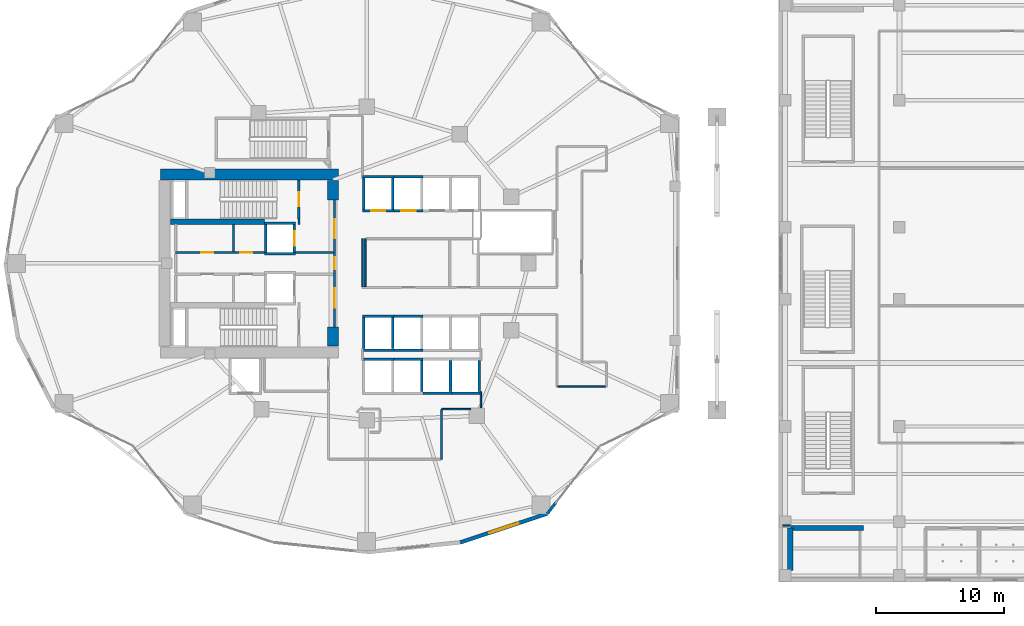
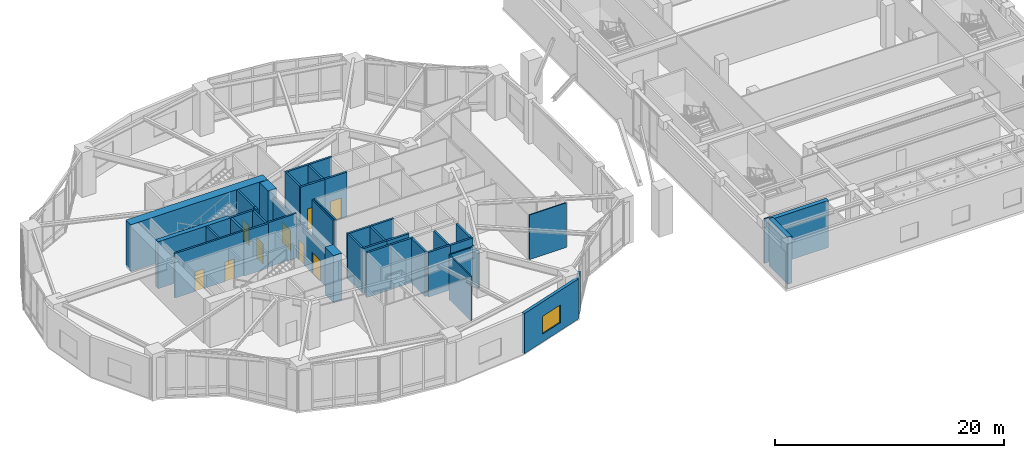
# One storey, part 15 of 24: 44 walls, 9 doors, 1 window, 10 openings.
"""IFC4 building model written with IfcOpenShell, lengths in metres."""

from ifc_helpers import new_model, si_unit, direction, frame, frame_2d, origin, place, context, subcontext, project, spatial, rectangle, extrude, material, layer, layer_set, type_object, element, fill, save


model = new_model("IFC4")

# Units and contexts
model_context = context("Model", 3, precision=1e-05, world=origin(), true_north=direction((0.0, 1.0)))
body_context = subcontext(model_context, "Body", "Model", "MODEL_VIEW")
ifc_project = project(units=[si_unit("LENGTHUNIT", "METRE"), si_unit("AREAUNIT", "SQUARE_METRE"), si_unit("VOLUMEUNIT", "CUBIC_METRE"), si_unit("PLANEANGLEUNIT", "RADIAN"), si_unit("MASSUNIT", "GRAM", prefix="KILO")], contexts=[model_context])

# Site, building, storey
site_placement = place(None, origin())
site = spatial("IfcSite", under=ifc_project, at=site_placement, CompositionType="ELEMENT")
building_placement = place(site_placement, origin())
building = spatial("IfcBuilding", under=site, at=building_placement, Name="Kolvaren Gate Tower and Convention Centre", CompositionType="ELEMENT")
storey_placement = place(building_placement, frame((0.0, 0.0, 10.0)))
storey = spatial("IfcBuildingStorey", under=building, at=storey_placement, Name="L02", CompositionType="ELEMENT", Elevation=10.0)

# Wall
ifc_material_1 = material(Name="Autoclaved Aerated Masonry Blockwork Class 4 (4.0 MPa)", Category="masonry")
ifc_layer_1 = layer(ifc_material_1, 0.179931640625)
ifc_layer_set_1 = layer_set([ifc_layer_1], Name="Autoclaved Aerated Masonry Blockwork Class 4 (4.0 MPa)")
wall_type_1 = type_object("IfcWallType", Name="ARCH-WL-COMP-180", PredefinedType="SOLIDWALL", material=ifc_layer_set_1)
wall_1_placement = place(storey_placement, frame((24.85009765625, 30.0400390625, 0.0), z_axis=(0.0, 0.0, 1.0), x_axis=(0.0, 1.0, 0.0)))
element("IfcWall", 1, at=wall_1_placement, inside=storey, type_object=wall_type_1, Name="Interior Partition WL-L02-INT-002", PredefinedType="SOLIDWALL", context=body_context, shape_type="SweptSolid", body=[
    extrude(rectangle(XDim=0.419921875, YDim=0.179931640625, at=frame_2d((0.2099609375, 0.0))), origin(), (0.0, 0.0, 1.0), 4.760009765625),
])

# Wall, openings, doors
wall_2_placement = place(storey_placement, frame((27.6201171875, 22.050048828125, 0.0), z_axis=(0.0, 0.0, 1.0), x_axis=(0.0, 1.0, 0.0)))
wall_2 = element("IfcWall", 2, at=wall_2_placement, inside=storey, type_object=wall_type_1, Name="Interior Partition WL-L02-INT-003", PredefinedType="SOLIDWALL", context=body_context, shape_type="SweptSolid", body=[
    extrude(rectangle(XDim=9.89990234375, YDim=0.179931640625, at=frame_2d((4.949951171875, 0.0))), origin(), (0.0, 0.0, 1.0), 3.85205078125),
])
opening_1_placement = place(wall_2_placement, frame((4.47509765625, 0.0, 0.0)))
opening_1 = element("IfcOpeningElement", 3, at=opening_1_placement, cuts=wall_2, Name="Opening DR-01", PredefinedType="OPENING", context=body_context, shape_type="SweptSolid", body=[
    extrude(rectangle(XDim=0.949951171875, YDim=2.10009765625, at=frame_2d((0.47509765625, 1.050048828125))), frame((0.0, 0.099853515625, 0.0), z_axis=(0.0, -1.0, 0.0), x_axis=(1.0, 0.0, 0.0)), (0.0, 0.0, 1.0), 0.199951171875),
])
opening_2_placement = place(wall_2_placement, frame((6.889892578125, 0.0, 0.0)))
opening_2 = element("IfcOpeningElement", 4, at=opening_2_placement, cuts=wall_2, Name="Opening DL-01", PredefinedType="OPENING", context=body_context, shape_type="SweptSolid", body=[
    extrude(rectangle(XDim=1.5, YDim=2.199951171875, at=frame_2d((0.75, 1.10009765625))), frame((0.0, 0.099853515625, 0.0), z_axis=(0.0, -1.0, 0.0), x_axis=(1.0, 0.0, 0.0)), (0.0, 0.0, 1.0), 0.199951171875),
])
opening_3_placement = place(wall_2_placement, frame((1.510009765625, 0.0, 0.0)))
opening_3 = element("IfcOpeningElement", 5, at=opening_3_placement, cuts=wall_2, Name="Opening DL-01", PredefinedType="OPENING", context=body_context, shape_type="SweptSolid", body=[
    extrude(rectangle(XDim=1.5, YDim=2.199951171875, at=frame_2d((0.75, 1.10009765625))), frame((0.0, 0.099853515625, 0.0), z_axis=(0.0, -1.0, 0.0), x_axis=(1.0, 0.0, 0.0)), (0.0, 0.0, 1.0), 0.199951171875),
])
ifc_material_2 = material(Name="Painted Architectural Steelwork ASTM A500 Grade C 345 MPa", Category="steel")
door_type_1 = type_object("IfcDoorType", Name="ARCH-DR-LOBBY-1500", OperationType="DOUBLE_DOOR_SINGLE_SWING", PredefinedType="DOOR", material=ifc_material_2)
door_1_placement = place(opening_2_placement, origin())
door_1 = element("IfcDoor", 6, at=door_1_placement, inside=storey, type_object=door_type_1, Name="North Firefighting Stair and Lift Lobby Door", OperationType="DOUBLE_DOOR_SINGLE_SWING", OverallHeight=2.199951171875, OverallWidth=1.5, PredefinedType="DOOR", context=body_context, shape_type="SweptSolid", body=[
    extrude(rectangle(XDim=1.5, YDim=2.199951171875, at=frame_2d((0.75, 1.10009765625))), frame((0.0, 0.02490234375, 0.0), z_axis=(0.0, -1.0, 0.0), x_axis=(1.0, 0.0, 0.0)), (0.0, 0.0, 1.0), 0.050048828125),
])
fill(opening_2, door_1)
door_2_placement = place(opening_3_placement, origin())
door_2 = element("IfcDoor", 7, at=door_2_placement, inside=storey, type_object=door_type_1, Name="South Firefighting Stair and Lift Lobby Door", OperationType="DOUBLE_DOOR_SINGLE_SWING", OverallHeight=2.199951171875, OverallWidth=1.5, PredefinedType="DOOR", context=body_context, shape_type="SweptSolid", body=[
    extrude(rectangle(XDim=1.5, YDim=2.199951171875, at=frame_2d((0.75, 1.10009765625))), frame((0.0, 0.02490234375, 0.0), z_axis=(0.0, -1.0, 0.0), x_axis=(1.0, 0.0, 0.0)), (0.0, 0.0, 1.0), 0.050048828125),
])
fill(opening_3, door_2)
door_type_2 = type_object("IfcDoorType", Name="ARCH-DR-RISER-950", OperationType="SINGLE_SWING_RIGHT", PredefinedType="DOOR", material=ifc_material_2)
door_3_placement = place(opening_1_placement, origin())
door_3 = element("IfcDoor", 8, at=door_3_placement, inside=storey, type_object=door_type_2, Name="Central MEP Service Corridor Door", OperationType="SINGLE_SWING_LEFT", OverallHeight=2.10009765625, OverallWidth=0.949951171875, PredefinedType="DOOR", context=body_context, shape_type="SweptSolid", body=[
    extrude(rectangle(XDim=0.949951171875, YDim=2.10009765625, at=frame_2d((0.47509765625, 1.050048828125))), frame((0.0, 0.02490234375, 0.0), z_axis=(0.0, -1.0, 0.0), x_axis=(1.0, 0.0, 0.0)), (0.0, 0.0, 1.0), 0.050048828125),
])
fill(opening_1, door_3)

wall_3_placement = place(storey_placement, frame((15.25, 27.840087890625, 0.0), z_axis=(0.0, 0.0, 1.0), x_axis=(1.0, 0.0, 0.0)))
wall_3 = element("IfcWall", 9, at=wall_3_placement, inside=storey, type_object=wall_type_1, Name="Interior Partition WL-L02-INT-004", PredefinedType="SOLIDWALL", context=body_context, shape_type="SweptSolid", body=[
    extrude(rectangle(XDim=6.89990234375, YDim=0.179931640625, at=frame_2d((3.449951171875, 0.0))), origin(), (0.0, 0.0, 1.0), 4.760009765625),
])
opening_4_placement = place(wall_3_placement, frame((5.02001953125, 0.0, 0.0)))
opening_4 = element("IfcOpeningElement", 10, at=opening_4_placement, cuts=wall_3, Name="Opening DR-01", PredefinedType="OPENING", context=body_context, shape_type="SweptSolid", body=[
    extrude(rectangle(XDim=0.949951171875, YDim=2.10009765625, at=frame_2d((0.47509765625, 1.050048828125))), frame((0.0, 0.099853515625, 0.0), z_axis=(0.0, -1.0, 0.0), x_axis=(1.0, 0.0, 0.0)), (0.0, 0.0, 1.0), 0.199951171875),
])
opening_5_placement = place(wall_3_placement, frame((1.97998046875, 0.0, 0.0)))
opening_5 = element("IfcOpeningElement", 11, at=opening_5_placement, cuts=wall_3, Name="Opening DR-01", PredefinedType="OPENING", context=body_context, shape_type="SweptSolid", body=[
    extrude(rectangle(XDim=0.949951171875, YDim=2.10009765625, at=frame_2d((0.47509765625, 1.050048828125))), frame((0.0, 0.099853515625, 0.0), z_axis=(0.0, -1.0, 0.0), x_axis=(1.0, 0.0, 0.0)), (0.0, 0.0, 1.0), 0.199951171875),
])
door_4_placement = place(opening_4_placement, origin())
door_4 = element("IfcDoor", 12, at=door_4_placement, inside=storey, type_object=door_type_2, Name="Electrical Switchgear Closet Door", OperationType="SINGLE_SWING_RIGHT", OverallHeight=2.10009765625, OverallWidth=0.949951171875, PredefinedType="DOOR", context=body_context, shape_type="SweptSolid", body=[
    extrude(rectangle(XDim=0.949951171875, YDim=2.10009765625, at=frame_2d((0.47509765625, 1.050048828125))), frame((0.0, 0.02490234375, 0.0), z_axis=(0.0, -1.0, 0.0), x_axis=(1.0, 0.0, 0.0)), (0.0, 0.0, 1.0), 0.050048828125),
])
fill(opening_4, door_4)
door_5_placement = place(opening_5_placement, origin())
door_5 = element("IfcDoor", 13, at=door_5_placement, inside=storey, type_object=door_type_2, Name="Staff Powder Washroom Door", OperationType="SINGLE_SWING_RIGHT", OverallHeight=2.10009765625, OverallWidth=0.949951171875, PredefinedType="DOOR", context=body_context, shape_type="SweptSolid", body=[
    extrude(rectangle(XDim=0.949951171875, YDim=2.10009765625, at=frame_2d((0.47509765625, 1.050048828125))), frame((0.0, 0.02490234375, 0.0), z_axis=(0.0, -1.0, 0.0), x_axis=(1.0, 0.0, 0.0)), (0.0, 0.0, 1.0), 0.050048828125),
])
fill(opening_5, door_5)

# Walls
wall_4_placement = place(storey_placement, frame((24.60009765625, 27.840087890625, 0.0), z_axis=(0.0, 0.0, 1.0), x_axis=(1.0, 0.0, 0.0)))
element("IfcWall", 14, at=wall_4_placement, inside=storey, type_object=wall_type_1, Name="Interior Partition WL-L02-INT-004 (2)", PredefinedType="SOLIDWALL", context=body_context, shape_type="SweptSolid", body=[
    extrude(rectangle(XDim=2.927978515625, YDim=0.179931640625, at=frame_2d((1.4638671875, 0.0))), origin(), (0.0, 0.0, 1.0), 4.760009765625),
])
wall_5_placement = place(storey_placement, frame((19.75, 27.931884765625, 0.0), z_axis=(0.0, 0.0, 1.0), x_axis=(0.0, 1.0, 0.0)))
element("IfcWall", 15, at=wall_5_placement, inside=storey, type_object=wall_type_1, Name="Interior Partition WL-L02-INT-008", PredefinedType="SOLIDWALL", context=body_context, shape_type="SweptSolid", body=[
    extrude(rectangle(XDim=2.106201171875, YDim=0.179931640625, at=frame_2d((1.05322265625, 0.0))), origin(), (0.0, 0.0, 1.0), 4.760009765625),
])
ifc_material_3 = material(Name="Fire-Rated Acoustic Gypsum Stud Partition", Category="gypsum")
ifc_layer_2 = layer(ifc_material_3, 0.1201171875)
ifc_layer_set_2 = layer_set([ifc_layer_2], Name="Fire-Rated Acoustic Gypsum Stud Partition")
wall_type_2 = type_object("IfcWallType", Name="ARCH-WL-PART-120", PredefinedType="PARTITIONING", material=ifc_layer_set_2)
wall_6_placement = place(storey_placement, frame((35.949951171875, 15.64990234375, 0.0), z_axis=(0.0, 0.0, 1.0), x_axis=(1.0, 0.0, 0.0)))
element("IfcWall", 16, at=wall_6_placement, inside=storey, type_object=wall_type_2, Name="Interior Partition WL-L02-INT-018", PredefinedType="PARTITIONING", context=body_context, shape_type="SweptSolid", body=[
    extrude(rectangle(XDim=2.291015625, YDim=0.1201171875, at=frame_2d((1.1455078125, 0.0))), origin(), (0.0, 0.0, 1.0), 4.760009765625),
])
wall_7_placement = place(storey_placement, frame((35.949951171875, 11.75, 0.0), z_axis=(0.0, 0.0, 1.0), x_axis=(0.0, 1.0, 0.0)))
element("IfcWall", 17, at=wall_7_placement, inside=storey, type_object=wall_type_2, Name="Interior Partition WL-L02-INT-019", PredefinedType="PARTITIONING", context=body_context, shape_type="SweptSolid", body=[
    extrude(rectangle(XDim=3.837890625, YDim=0.1201171875, at=frame_2d((1.9189453125, 0.0))), origin(), (0.0, 0.0, 1.0), 4.760009765625),
])
wall_8_placement = place(storey_placement, frame((29.780029296875, 25.197021484375, 0.0), z_axis=(0.0, 0.0, 1.0), x_axis=(0.0, 1.0, 0.0)))
element("IfcWall", 18, at=wall_8_placement, inside=storey, type_object=wall_type_2, Name="Interior Partition WL-L02-INT-024", PredefinedType="PARTITIONING", context=body_context, shape_type="SweptSolid", body=[
    extrude(rectangle(XDim=3.722900390625, YDim=0.1201171875, at=frame_2d((1.861328125, 0.0))), origin(), (0.0, 0.0, 1.0), 4.760009765625),
])
wall_9_placement = place(storey_placement, frame((39.02001953125, 15.741943359375, 0.0), z_axis=(0.0, 0.0, 1.0), x_axis=(0.0, 1.0, 0.0)))
element("IfcWall", 19, at=wall_9_placement, inside=storey, type_object=wall_type_2, Name="Interior Partition WL-L02-INT-026", PredefinedType="PARTITIONING", context=body_context, shape_type="SweptSolid", body=[
    extrude(rectangle(XDim=1.26806640625, YDim=0.1201171875, at=frame_2d((0.634033203125, 0.0))), origin(), (0.0, 0.0, 1.0), 3.993896484375),
])
wall_10_placement = place(storey_placement, frame((45.011962890625, 17.39990234375, 0.0), z_axis=(0.0, 0.0, 1.0), x_axis=(1.0, 0.0, 0.0)))
element("IfcWall", 20, at=wall_10_placement, inside=storey, type_object=wall_type_2, Name="Interior Partition WL-L02-INT-038", PredefinedType="PARTITIONING", context=body_context, shape_type="SweptSolid", body=[
    extrude(rectangle(XDim=3.72607421875, YDim=0.1201171875, at=frame_2d((1.863037109375, 0.0))), origin(), (0.0, 0.0, 1.0), 4.760009765625),
])
wall_11_placement = place(storey_placement, frame((62.501953125, 6.60009765625, 0.0), z_axis=(0.0, 0.0, 1.0), x_axis=(1.0, 0.0, 0.0)))
element("IfcWall", 21, at=wall_11_placement, inside=storey, type_object=wall_type_2, Name="Interior Partition WL-L02-INT-047", PredefinedType="PARTITIONING", context=body_context, shape_type="SweptSolid", body=[
    extrude(rectangle(XDim=0.59814453125, YDim=0.1201171875, at=frame_2d((0.299072265625, 0.0))), origin(), (0.0, 0.0, 1.0), 4.760009765625),
])
ifc_material_4 = material(Name="Bogota Sabana Bush-Hammered Sandstone Cladding", Category="masonry")
ifc_layer_3 = layer(ifc_material_4, 0.219970703125)
ifc_layer_set_3 = layer_set([ifc_layer_3], Name="Bogota Sabana Bush-Hammered Sandstone Cladding")
wall_type_3 = type_object("IfcWallType", Name="ARCH-WL-PIER-220", PredefinedType="SOLIDWALL", material=ifc_layer_set_3)
wall_12_placement = place(storey_placement, frame((44.1875, 7.514404296875, 0.0), z_axis=(0.0, 0.0, 1.0), x_axis=(0.616387780378, 0.787442762492, 0.0)))
element("IfcWall", 22, at=wall_12_placement, inside=storey, type_object=wall_type_3, Name="Tower L02 Unitised Curtain Wall CW-POD-GLZ Bay 20 Left Column Pier Wrap", PredefinedType="SOLIDWALL", context=body_context, shape_type="SweptSolid", body=[
    extrude(rectangle(XDim=1.076171875, YDim=0.219970703125, at=frame_2d((0.5380859375, 0.0))), origin(), (0.0, 0.0, 1.0), 4.282958984375),
])
ifc_layer_4 = layer(ifc_material_1, 0.199951171875)
ifc_layer_set_4 = layer_set([ifc_layer_4], Name="Autoclaved Aerated Masonry Blockwork Class 4 (4.0 MPa)")
wall_type_4 = type_object("IfcWallType", Name="ARCH-WL-SHAFT-200", PredefinedType="SOLIDWALL", material=ifc_layer_set_4)
for number, where, z_axis, x_axis, name in (
    (23, (22.14990234375, 30.139892578125, 0.0), (0.0, 0.0, 1.0), (1.0, 0.0, 0.0), "Elevator FF-01 L02 Fire Shaft Wall N"),
    (24, (22.14990234375, 27.739990234375, 0.0), (0.0, 0.0, 1.0), (1.0, 0.0, 0.0), "Elevator FF-01 L02 Fire Shaft Wall S"),
):
    element("IfcWall", number, at=place(storey_placement, frame(where, z_axis=z_axis, x_axis=x_axis)), inside=storey, type_object=wall_type_4, Name=name, PredefinedType="SOLIDWALL", context=body_context, shape_type="SweptSolid", body=[
        extrude(rectangle(XDim=2.4501953125, YDim=0.199951171875, at=frame_2d((1.22509765625, 0.0))), origin(), (0.0, 0.0, 1.0), 4.760009765625),
    ])
wall_13_placement = place(storey_placement, frame((22.25, 27.85009765625, 0.0), z_axis=(0.0, 0.0, 1.0), x_axis=(0.0, 1.0, 0.0)))
element("IfcWall", 25, at=wall_13_placement, inside=storey, type_object=wall_type_4, Name="Elevator FF-01 L02 Fire Shaft Wall W", PredefinedType="SOLIDWALL", context=body_context, shape_type="SweptSolid", body=[
    extrude(rectangle(XDim=2.179931640625, YDim=0.199951171875, at=frame_2d((1.08984375, 0.0))), origin(), (0.0, 0.0, 1.0), 4.760009765625),
])

# Wall, opening, door
wall_14_placement = place(storey_placement, frame((24.5, 27.85009765625, 0.0), z_axis=(0.0, 0.0, 1.0), x_axis=(0.0, 1.0, 0.0)))
wall_14 = element("IfcWall", 26, at=wall_14_placement, inside=storey, type_object=wall_type_4, Name="Elevator FF-01 L02 Fire Shaft Wall E", PredefinedType="SOLIDWALL", context=body_context, shape_type="SweptSolid", body=[
    extrude(rectangle(XDim=2.179931640625, YDim=0.199951171875, at=frame_2d((1.08984375, 0.0))), origin(), (0.0, 0.0, 1.0), 4.760009765625),
])
opening_6_placement = place(wall_14_placement, frame((0.5400390625, 0.0, 0.0)))
opening_6 = element("IfcOpeningElement", 27, at=opening_6_placement, cuts=wall_14, Name="Opening LD", PredefinedType="OPENING", context=body_context, shape_type="SweptSolid", body=[
    extrude(rectangle(XDim=1.10009765625, YDim=2.199951171875, at=frame_2d((0.550048828125, 1.10009765625))), frame((0.0, 0.10986328125, 0.0), z_axis=(0.0, -1.0, 0.0), x_axis=(1.0, 0.0, 0.0)), (0.0, 0.0, 1.0), 0.219970703125),
])
ifc_material_5 = material(Name="Brushed Stainless Steel Grade 316L", Category="steel")
door_type_3 = type_object("IfcDoorType", Name="ARCH-DR-LIFT-1100", OperationType="SLIDING_TO_LEFT", PredefinedType="DOOR", material=ifc_material_5)
door_6_placement = place(opening_6_placement, origin())
door_6 = element("IfcDoor", 28, at=door_6_placement, inside=storey, type_object=door_type_3, Name="Elevator FF-01 L02 Sliding Landing Door", OperationType="SLIDING_TO_LEFT", OverallHeight=2.199951171875, OverallWidth=1.10009765625, PredefinedType="DOOR", context=body_context, shape_type="SweptSolid", body=[
    extrude(rectangle(XDim=1.10009765625, YDim=2.199951171875, at=frame_2d((0.550048828125, 1.10009765625))), frame((0.0, 0.02490234375, 0.0), z_axis=(0.0, -1.0, 0.0), x_axis=(1.0, 0.0, 0.0)), (0.0, 0.0, 1.0), 0.050048828125),
])
fill(opening_6, door_6)

# Wall
wall_15_placement = place(storey_placement, frame((29.800048828125, 33.75, 0.0), z_axis=(0.0, 0.0, 1.0), x_axis=(1.0, 0.0, 0.0)))
element("IfcWall", 29, at=wall_15_placement, inside=storey, type_object=wall_type_4, Name="Elevator PL-01 L02 Fire Shaft Wall N", PredefinedType="SOLIDWALL", context=body_context, shape_type="SweptSolid", body=[
    extrude(rectangle(XDim=2.449951171875, YDim=0.199951171875, at=frame_2d((1.22509765625, 0.0))), origin(), (0.0, 0.0, 1.0), 4.760009765625),
])

# Wall, opening, door
wall_16_placement = place(storey_placement, frame((29.800048828125, 31.10009765625, 0.0), z_axis=(0.0, 0.0, 1.0), x_axis=(1.0, 0.0, 0.0)))
wall_16 = element("IfcWall", 30, at=wall_16_placement, inside=storey, type_object=wall_type_4, Name="Elevator PL-01 L02 Fire Shaft Wall S", PredefinedType="SOLIDWALL", context=body_context, shape_type="SweptSolid", body=[
    extrude(rectangle(XDim=2.449951171875, YDim=0.199951171875, at=frame_2d((1.22509765625, 0.0))), origin(), (0.0, 0.0, 1.0), 4.760009765625),
])
opening_7_placement = place(wall_16_placement, frame((0.675048828125, 0.0, 0.0)))
opening_7 = element("IfcOpeningElement", 31, at=opening_7_placement, cuts=wall_16, Name="Opening LD", PredefinedType="OPENING", context=body_context, shape_type="SweptSolid", body=[
    extrude(rectangle(XDim=1.10009765625, YDim=2.199951171875, at=frame_2d((0.550048828125, 1.10009765625))), frame((0.0, 0.10986328125, 0.0), z_axis=(0.0, -1.0, 0.0), x_axis=(1.0, 0.0, 0.0)), (0.0, 0.0, 1.0), 0.219970703125),
])
door_7_placement = place(opening_7_placement, origin())
door_7 = element("IfcDoor", 32, at=door_7_placement, inside=storey, type_object=door_type_3, Name="Elevator PL-01 L02 Sliding Landing Door", OperationType="SLIDING_TO_LEFT", OverallHeight=2.199951171875, OverallWidth=1.10009765625, PredefinedType="DOOR", context=body_context, shape_type="SweptSolid", body=[
    extrude(rectangle(XDim=1.10009765625, YDim=2.199951171875, at=frame_2d((0.550048828125, 1.10009765625))), frame((0.0, 0.02490234375, 0.0), z_axis=(0.0, -1.0, 0.0), x_axis=(1.0, 0.0, 0.0)), (0.0, 0.0, 1.0), 0.050048828125),
])
fill(opening_7, door_7)

# Walls
for number, where, z_axis, x_axis, name in (
    (33, (29.89990234375, 31.2099609375, 0.0), (0.0, 0.0, 1.0), (0.0, 1.0, 0.0), "Elevator PL-01 L02 Fire Shaft Wall W"),
    (34, (32.14990234375, 31.2099609375, 0.0), (0.0, 0.0, 1.0), (0.0, 1.0, 0.0), "Elevator PL-01 L02 Fire Shaft Wall E"),
):
    element("IfcWall", number, at=place(storey_placement, frame(where, z_axis=z_axis, x_axis=x_axis)), inside=storey, type_object=wall_type_4, Name=name, PredefinedType="SOLIDWALL", context=body_context, shape_type="SweptSolid", body=[
        extrude(rectangle(XDim=2.429931640625, YDim=0.199951171875, at=frame_2d((1.21484375, 0.0))), origin(), (0.0, 0.0, 1.0), 4.760009765625),
    ])
wall_17_placement = place(storey_placement, frame((32.25, 33.75, 0.0), z_axis=(0.0, 0.0, 1.0), x_axis=(1.0, 0.0, 0.0)))
element("IfcWall", 35, at=wall_17_placement, inside=storey, type_object=wall_type_4, Name="Elevator PL-02 L02 Fire Shaft Wall N", PredefinedType="SOLIDWALL", context=body_context, shape_type="SweptSolid", body=[
    extrude(rectangle(XDim=2.25, YDim=0.199951171875, at=frame_2d((1.125, 0.0))), origin(), (0.0, 0.0, 1.0), 4.760009765625),
])

# Wall, opening, door
wall_18_placement = place(storey_placement, frame((32.25, 31.10009765625, 0.0), z_axis=(0.0, 0.0, 1.0), x_axis=(1.0, 0.0, 0.0)))
wall_18 = element("IfcWall", 36, at=wall_18_placement, inside=storey, type_object=wall_type_4, Name="Elevator PL-02 L02 Fire Shaft Wall S", PredefinedType="SOLIDWALL", context=body_context, shape_type="SweptSolid", body=[
    extrude(rectangle(XDim=2.25, YDim=0.199951171875, at=frame_2d((1.125, 0.0))), origin(), (0.0, 0.0, 1.0), 4.760009765625),
])
opening_8_placement = place(wall_18_placement, frame((0.574951171875, 0.0, 0.0)))
opening_8 = element("IfcOpeningElement", 37, at=opening_8_placement, cuts=wall_18, Name="Opening LD", PredefinedType="OPENING", context=body_context, shape_type="SweptSolid", body=[
    extrude(rectangle(XDim=1.10009765625, YDim=2.199951171875, at=frame_2d((0.550048828125, 1.10009765625))), frame((0.0, 0.10986328125, 0.0), z_axis=(0.0, -1.0, 0.0), x_axis=(1.0, 0.0, 0.0)), (0.0, 0.0, 1.0), 0.219970703125),
])
door_8_placement = place(opening_8_placement, origin())
door_8 = element("IfcDoor", 38, at=door_8_placement, inside=storey, type_object=door_type_3, Name="Elevator PL-02 L02 Sliding Landing Door", OperationType="SLIDING_TO_LEFT", OverallHeight=2.199951171875, OverallWidth=1.10009765625, PredefinedType="DOOR", context=body_context, shape_type="SweptSolid", body=[
    extrude(rectangle(XDim=1.10009765625, YDim=2.199951171875, at=frame_2d((0.550048828125, 1.10009765625))), frame((0.0, 0.02490234375, 0.0), z_axis=(0.0, -1.0, 0.0), x_axis=(1.0, 0.0, 0.0)), (0.0, 0.0, 1.0), 0.050048828125),
])
fill(opening_8, door_8)

# Walls
wall_19_placement = place(storey_placement, frame((29.800048828125, 19.550048828125, 0.0), z_axis=(0.0, 0.0, 1.0), x_axis=(1.0, 0.0, 0.0)))
element("IfcWall", 39, at=wall_19_placement, inside=storey, type_object=wall_type_4, Name="Elevator PL-05 L02 Fire Shaft Wall N", PredefinedType="SOLIDWALL", context=body_context, shape_type="SweptSolid", body=[
    extrude(rectangle(XDim=2.449951171875, YDim=0.199951171875, at=frame_2d((1.22509765625, 0.0))), origin(), (0.0, 0.0, 1.0), 4.760009765625),
])
wall_20_placement = place(storey_placement, frame((32.25, 19.550048828125, 0.0), z_axis=(0.0, 0.0, 1.0), x_axis=(1.0, 0.0, 0.0)))
element("IfcWall", 40, at=wall_20_placement, inside=storey, type_object=wall_type_4, Name="Elevator PL-06 L02 Fire Shaft Wall N", PredefinedType="SOLIDWALL", context=body_context, shape_type="SweptSolid", body=[
    extrude(rectangle(XDim=2.25, YDim=0.199951171875, at=frame_2d((1.125, 0.0))), origin(), (0.0, 0.0, 1.0), 4.760009765625),
])
wall_21_placement = place(storey_placement, frame((34.39990234375, 17.010009765625, 0.0), z_axis=(0.0, 0.0, 1.0), x_axis=(0.0, 1.0, 0.0)))
element("IfcWall", 41, at=wall_21_placement, inside=storey, type_object=wall_type_4, Name="Elevator PL-06 L02 Fire Shaft Wall E", PredefinedType="SOLIDWALL", context=body_context, shape_type="SweptSolid", body=[
    extrude(rectangle(XDim=2.429931640625, YDim=0.199951171875, at=frame_2d((1.21484375, 0.0))), origin(), (0.0, 0.0, 1.0), 4.760009765625),
])
wall_22_placement = place(storey_placement, frame((34.5, 16.89990234375, 0.0), z_axis=(0.0, 0.0, 1.0), x_axis=(1.0, 0.0, 0.0)))
element("IfcWall", 42, at=wall_22_placement, inside=storey, type_object=wall_type_4, Name="Elevator PL-07 L02 Fire Shaft Wall S", PredefinedType="SOLIDWALL", context=body_context, shape_type="SweptSolid", body=[
    extrude(rectangle(XDim=2.25, YDim=0.199951171875, at=frame_2d((1.125, 0.0))), origin(), (0.0, 0.0, 1.0), 4.760009765625),
])
wall_23_placement = place(storey_placement, frame((36.64990234375, 17.010009765625, 0.0), z_axis=(0.0, 0.0, 1.0), x_axis=(0.0, 1.0, 0.0)))
element("IfcWall", 43, at=wall_23_placement, inside=storey, type_object=wall_type_4, Name="Elevator PL-07 L02 Fire Shaft Wall E", PredefinedType="SOLIDWALL", context=body_context, shape_type="SweptSolid", body=[
    extrude(rectangle(XDim=2.429931640625, YDim=0.199951171875, at=frame_2d((1.21484375, 0.0))), origin(), (0.0, 0.0, 1.0), 4.760009765625),
])
wall_24_placement = place(storey_placement, frame((36.75, 16.89990234375, 0.0), z_axis=(0.0, 0.0, 1.0), x_axis=(1.0, 0.0, 0.0)))
element("IfcWall", 44, at=wall_24_placement, inside=storey, type_object=wall_type_4, Name="Elevator PL-08 L02 Fire Shaft Wall S", PredefinedType="SOLIDWALL", context=body_context, shape_type="SweptSolid", body=[
    extrude(rectangle(XDim=2.25, YDim=0.199951171875, at=frame_2d((1.125, 0.0))), origin(), (0.0, 0.0, 1.0), 4.760009765625),
])
wall_25_placement = place(storey_placement, frame((38.89990234375, 17.010009765625, 0.0), z_axis=(0.0, 0.0, 1.0), x_axis=(0.0, 1.0, 0.0)))
element("IfcWall", 45, at=wall_25_placement, inside=storey, type_object=wall_type_4, Name="Elevator PL-08 L02 Fire Shaft Wall E", PredefinedType="SOLIDWALL", context=body_context, shape_type="SweptSolid", body=[
    extrude(rectangle(XDim=2.429931640625, YDim=0.199951171875, at=frame_2d((1.21484375, 0.0))), origin(), (0.0, 0.0, 1.0), 4.760009765625),
])
for number, where, z_axis, x_axis, name in (
    (46, (29.800048828125, 22.89990234375, 0.0), (0.0, 0.0, 1.0), (1.0, 0.0, 0.0), "Elevator PL-09 L02 Fire Shaft Wall N"),
    (47, (29.800048828125, 20.25, 0.0), (0.0, 0.0, 1.0), (1.0, 0.0, 0.0), "Elevator PL-09 L02 Fire Shaft Wall S"),
):
    element("IfcWall", number, at=place(storey_placement, frame(where, z_axis=z_axis, x_axis=x_axis)), inside=storey, type_object=wall_type_4, Name=name, PredefinedType="SOLIDWALL", context=body_context, shape_type="SweptSolid", body=[
        extrude(rectangle(XDim=2.449951171875, YDim=0.199951171875, at=frame_2d((1.22509765625, 0.0))), origin(), (0.0, 0.0, 1.0), 4.760009765625),
    ])
for number, where, z_axis, x_axis, name in (
    (48, (29.89990234375, 20.360107421875, 0.0), (0.0, 0.0, 1.0), (0.0, 1.0, 0.0), "Elevator PL-09 L02 Fire Shaft Wall W"),
    (49, (32.14990234375, 20.360107421875, 0.0), (0.0, 0.0, 1.0), (0.0, 1.0, 0.0), "Elevator PL-09 L02 Fire Shaft Wall E"),
):
    element("IfcWall", number, at=place(storey_placement, frame(where, z_axis=z_axis, x_axis=x_axis)), inside=storey, type_object=wall_type_4, Name=name, PredefinedType="SOLIDWALL", context=body_context, shape_type="SweptSolid", body=[
        extrude(rectangle(XDim=2.429931640625, YDim=0.199951171875, at=frame_2d((1.21484375, 0.0))), origin(), (0.0, 0.0, 1.0), 4.760009765625),
    ])
for number, where, z_axis, x_axis, name in (
    (50, (32.25, 22.89990234375, 0.0), (0.0, 0.0, 1.0), (1.0, 0.0, 0.0), "Elevator PL-10 L02 Fire Shaft Wall N"),
    (51, (32.25, 20.25, 0.0), (0.0, 0.0, 1.0), (1.0, 0.0, 0.0), "Elevator PL-10 L02 Fire Shaft Wall S"),
):
    element("IfcWall", number, at=place(storey_placement, frame(where, z_axis=z_axis, x_axis=x_axis)), inside=storey, type_object=wall_type_4, Name=name, PredefinedType="SOLIDWALL", context=body_context, shape_type="SweptSolid", body=[
        extrude(rectangle(XDim=2.25, YDim=0.199951171875, at=frame_2d((1.125, 0.0))), origin(), (0.0, 0.0, 1.0), 4.760009765625),
    ])

# Wall, opening, window
ifc_material_6 = material(Name="Piedmont Cream Honed Limestone Cladding", Category="masonry")
ifc_layer_5 = layer(ifc_material_6, 0.300048828125)
ifc_layer_set_5 = layer_set([ifc_layer_5], Name="Piedmont Cream Honed Limestone Cladding")
wall_type_5 = type_object("IfcWallType", Name="ARCH-WL-STONE-300", PredefinedType="SOLIDWALL", material=ifc_layer_set_5)
wall_26_placement = place(storey_placement, frame((37.404296875, 5.2666015625, 0.0), z_axis=(0.0, 0.0, 1.0), x_axis=(0.949238715533, 0.31455661006, 0.0)))
wall_26 = element("IfcWall", 52, at=wall_26_placement, inside=storey, type_object=wall_type_5, Name="Tower L02 Honed Stone Spandrel Wall EW-19", PredefinedType="SOLIDWALL", context=body_context, shape_type="SweptSolid", body=[
    extrude(rectangle(XDim=7.14599609375, YDim=0.300048828125, at=frame_2d((3.572998046875, 0.0))), origin(), (0.0, 0.0, 1.0), 4.282958984375),
])
opening_9_placement = place(wall_26_placement, frame((2.373046875, 0.0, 0.85009765625)))
opening_9 = element("IfcOpeningElement", 53, at=opening_9_placement, cuts=wall_26, Name="Opening W-01", PredefinedType="OPENING", context=body_context, shape_type="SweptSolid", body=[
    extrude(rectangle(XDim=2.39990234375, YDim=1.89990234375, at=frame_2d((1.199951171875, 0.949951171875))), frame((0.0, 0.159912109375, 0.0), z_axis=(0.0, -1.0, 0.0), x_axis=(1.0, 0.0, 0.0)), (0.0, 0.0, 1.0), 0.320068359375),
])
ifc_material_7 = material(Name="Low-E Triple Insulated Glazing Unit 44 mm", Category="glass")
window_type = type_object("IfcWindowType", Name="ARCH-WN-OFF-2400", PartitioningType="SINGLE_PANEL", PredefinedType="WINDOW", material=ifc_material_7)
window_placement = place(opening_9_placement, origin())
window = element("IfcWindow", 54, at=window_placement, inside=storey, type_object=window_type, Name="Tower L02 Punched Stone Facade Window W-19", OverallHeight=1.89990234375, OverallWidth=2.39990234375, PartitioningType="SINGLE_PANEL", PredefinedType="WINDOW", context=body_context, shape_type="SweptSolid", body=[
    extrude(rectangle(XDim=2.39990234375, YDim=1.89990234375, at=frame_2d((1.199951171875, 0.949951171875))), frame((0.0, 0.030029296875, 0.0), z_axis=(0.0, -1.0, 0.0), x_axis=(1.0, 0.0, 0.0)), (0.0, 0.0, 1.0), 0.06005859375),
])
fill(opening_9, window)

# Walls
ifc_material_8 = material(Name="Moisture-Resistant Cement-Board Acoustic Partition", Category="gypsum")
ifc_layer_6 = layer(ifc_material_8, 0.14990234375)
ifc_layer_set_6 = layer_set([ifc_layer_6], Name="Moisture-Resistant Cement-Board Acoustic Partition")
wall_type_6 = type_object("IfcWallType", Name="ARCH-WL-WET-150", PredefinedType="PARTITIONING", material=ifc_layer_set_6)
wall_27_placement = place(storey_placement, frame((30.0, 25.197021484375, 0.0), z_axis=(0.0, 0.0, 1.0), x_axis=(0.0, 1.0, 0.0)))
element("IfcWall", 55, at=wall_27_placement, inside=storey, type_object=wall_type_6, Name="Interior Partition WL-L02-INT-013", PredefinedType="PARTITIONING", context=body_context, shape_type="SweptSolid", body=[
    extrude(rectangle(XDim=3.722900390625, YDim=0.14990234375, at=frame_2d((1.861328125, 0.0))), origin(), (0.0, 0.0, 1.0), 4.760009765625),
])
ifc_material_9 = material(Name="Concrete C50/60", Category="concrete")
ifc_layer_7 = layer(ifc_material_9, 0.419921875)
ifc_layer_set_7 = layer_set([ifc_layer_7], Name="Concrete C50/60")
wall_type_7 = type_object("IfcWallType", Name="STR-WL-CONV-420", PredefinedType="SHEAR", material=ifc_layer_set_7)
wall_28_placement = place(storey_placement, frame((14.85009765625, 30.25, -0.260009765625), z_axis=(0.0, 0.0, 1.0), x_axis=(1.0, 0.0, 0.0)))
element("IfcWall", 56, at=wall_28_placement, inside=storey, type_object=wall_type_7, Name="Tower L02 Offset Core Shear Wall WN", PredefinedType="SHEAR", context=body_context, shape_type="SweptSolid", body=[
    extrude(rectangle(XDim=7.2998046875, YDim=0.419921875, at=frame_2d((3.64990234375, 0.0))), origin(), (0.0, 0.0, 1.0), 5.02001953125),
])
wall_29_placement = place(storey_placement, frame((63.10009765625, 3.10009765625, -0.260009765625), z_axis=(0.0, 0.0, 1.0), x_axis=(0.0, 1.0, 0.0)))
element("IfcWall", 57, at=wall_29_placement, inside=storey, type_object=wall_type_7, Name="Convention L02 Shear Core Wall CCSW-W", PredefinedType="SHEAR", context=body_context, shape_type="SweptSolid", body=[
    extrude(rectangle(XDim=3.2998046875, YDim=0.419921875, at=frame_2d((1.64990234375, 0.0))), origin(), (0.0, 0.0, 1.0), 5.02001953125),
])
wall_30_placement = place(storey_placement, frame((63.10009765625, 6.39990234375, -0.260009765625), z_axis=(0.0, 0.0, 1.0), x_axis=(1.0, 0.0, 0.0)))
element("IfcWall", 58, at=wall_30_placement, inside=storey, type_object=wall_type_7, Name="Convention L02 Shear Core Wall CCSW-N", PredefinedType="SHEAR", context=body_context, shape_type="SweptSolid", body=[
    extrude(rectangle(XDim=5.699951171875, YDim=0.419921875, at=frame_2d((2.85009765625, 0.0))), origin(), (0.0, 0.0, 1.0), 5.02001953125),
])
ifc_material_10 = material(Name="Concrete C70/85", Category="concrete")
ifc_layer_8 = layer(ifc_material_10, 0.85009765625)
ifc_layer_set_8 = layer_set([ifc_layer_8], Name="Concrete C70/85")
wall_type_8 = type_object("IfcWallType", Name="STR-WL-CORE-850", PredefinedType="SHEAR", material=ifc_layer_set_8)
wall_31_placement = place(storey_placement, frame((14.074951171875, 33.925048828125, -0.260009765625), z_axis=(0.0, 0.0, 1.0), x_axis=(1.0, 0.0, 0.0)))
element("IfcWall", 59, at=wall_31_placement, inside=storey, type_object=wall_type_8, Name="Tower L02 Offset Core Shear Wall N", PredefinedType="SHEAR", context=body_context, shape_type="SweptSolid", body=[
    extrude(rectangle(XDim=13.85009765625, YDim=0.85009765625, at=frame_2d((6.925048828125, 0.0))), origin(), (0.0, 0.0, 1.0), 5.02001953125),
])
for number, where, z_axis, x_axis, name in (
    (60, (27.5, 31.949951171875, -0.260009765625), (0.0, 0.0, 1.0), (0.0, 1.0, 0.0), "Tower L02 Offset Core Shear Wall EN"),
    (61, (27.5, 20.550048828125, -0.260009765625), (0.0, 0.0, 1.0), (0.0, 1.0, 0.0), "Tower L02 Offset Core Shear Wall ES"),
):
    element("IfcWall", number, at=place(storey_placement, frame(where, z_axis=z_axis, x_axis=x_axis)), inside=storey, type_object=wall_type_8, Name=name, PredefinedType="SHEAR", context=body_context, shape_type="SweptSolid", body=[
        extrude(rectangle(XDim=1.5, YDim=0.85009765625, at=frame_2d((0.75, 0.0))), origin(), (0.0, 0.0, 1.0), 5.02001953125),
    ])

# Wall, opening, door
ifc_layer_9 = layer(ifc_material_9, 0.199951171875)
ifc_layer_set_9 = layer_set([ifc_layer_9], Name="Concrete C50/60")
wall_type_9 = type_object("IfcWallType", Name="STR-WL-SHAFT-200", PredefinedType="SHEAR", material=ifc_layer_set_9)
wall_32_placement = place(storey_placement, frame((24.85009765625, 30.4599609375, -0.260009765625), z_axis=(0.0, 0.0, 1.0), x_axis=(0.0, 1.0, 0.0)))
wall_32 = element("IfcWall", 62, at=wall_32_placement, inside=storey, type_object=wall_type_9, Name="Tower North Exit Stair ST-T1 L02 Structural Shear Enclosure Wall NEAR", PredefinedType="SHEAR", context=body_context, shape_type="SweptSolid", body=[
    extrude(rectangle(XDim=3.0380859375, YDim=0.199951171875, at=frame_2d((1.51904296875, 0.0))), origin(), (0.0, 0.0, 1.0), 5.02001953125),
])
opening_10_placement = place(wall_32_placement, frame((0.968994140625, 0.0, 0.260009765625)))
opening_10 = element("IfcOpeningElement", 63, at=opening_10_placement, cuts=wall_32, Name="Opening DS-01", PredefinedType="OPENING", context=body_context, shape_type="SweptSolid", body=[
    extrude(rectangle(XDim=1.10009765625, YDim=2.14990234375, at=frame_2d((0.550048828125, 1.074951171875))), frame((0.0, 0.10986328125, 0.0), z_axis=(0.0, -1.0, 0.0), x_axis=(1.0, 0.0, 0.0)), (0.0, 0.0, 1.0), 0.219970703125),
])
door_type_4 = type_object("IfcDoorType", Name="ARCH-DR-STAIR-1100", OperationType="SINGLE_SWING_LEFT", PredefinedType="DOOR", material=ifc_material_2)
door_9_placement = place(opening_10_placement, origin())
door_9 = element("IfcDoor", 64, at=door_9_placement, inside=storey, type_object=door_type_4, Name="Tower North Exit Stair ST-T1 L02 Fire Exit Stair Door", OperationType="SINGLE_SWING_RIGHT", OverallHeight=2.14990234375, OverallWidth=1.10009765625, PredefinedType="DOOR", context=body_context, shape_type="SweptSolid", body=[
    extrude(rectangle(XDim=1.10009765625, YDim=2.14990234375, at=frame_2d((0.550048828125, 1.074951171875))), frame((0.0, 0.02490234375, 0.0), z_axis=(0.0, -1.0, 0.0), x_axis=(1.0, 0.0, 0.0)), (0.0, 0.0, 1.0), 0.050048828125),
])
fill(opening_10, door_9)

save(model, "model.ifc")
